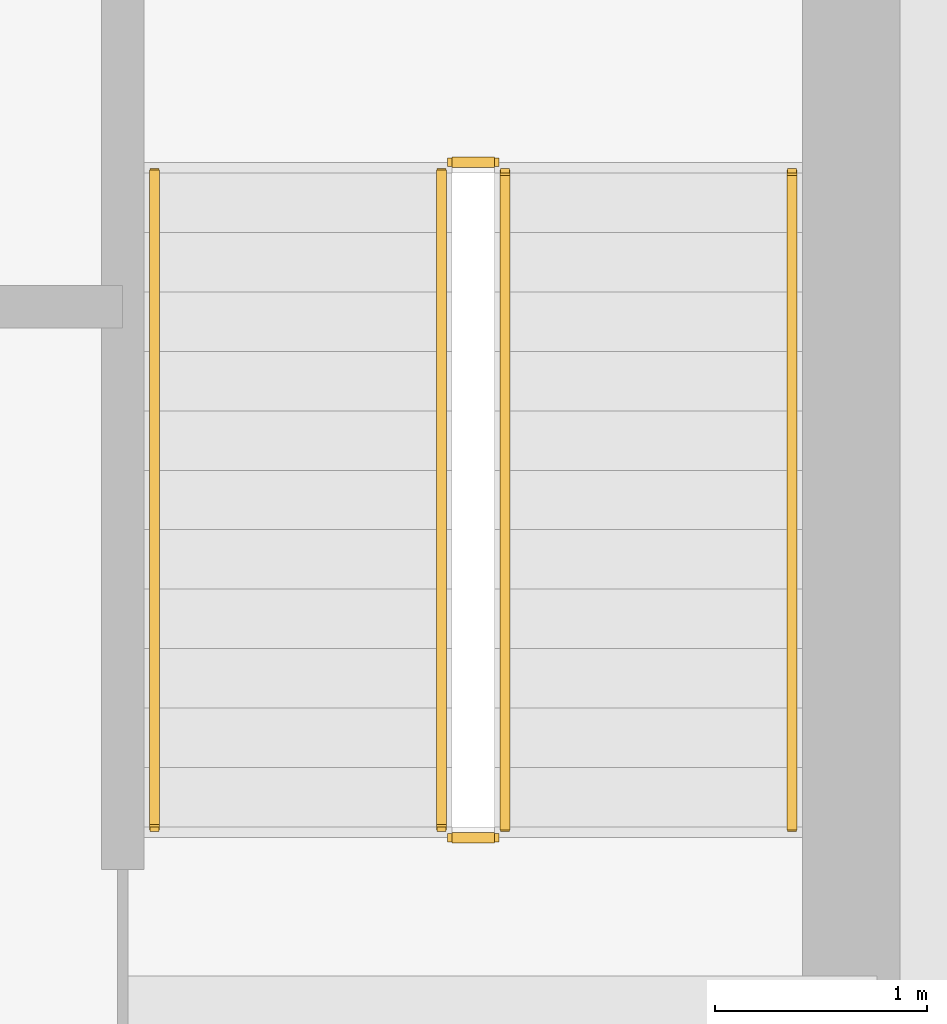
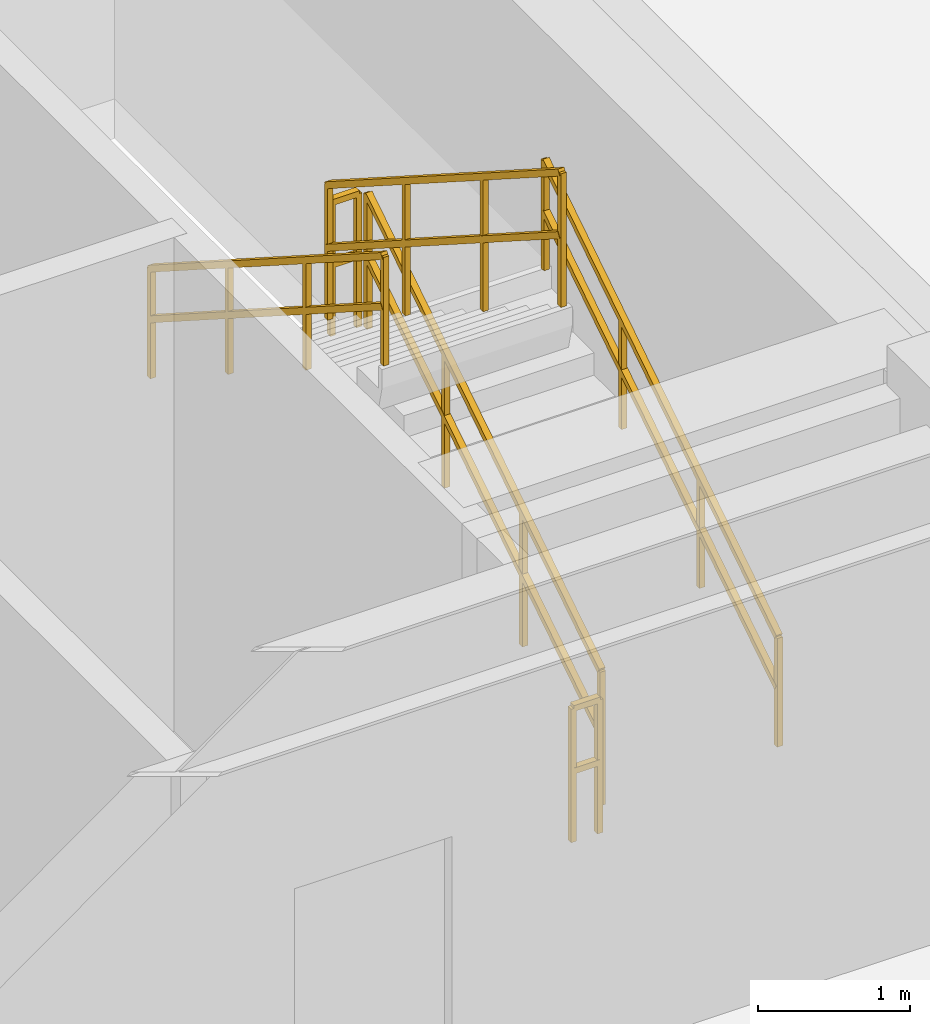
# One storey, part 8 of 8: 6 railings.
"""IFC4 building model written with IfcOpenShell, lengths in metres."""

from ifc_helpers import new_model, si_unit, direction, frame, origin, origin_2d, place, context, subcontext, project, spatial, rectangle, extrude, material, type_object, element, save


model = new_model("IFC4")

# Units and contexts
model_context = context("Model", 3, precision=1e-05, world=origin(), true_north=direction((0.0, 1.0)))
body_context = subcontext(model_context, "Body", "Model", "MODEL_VIEW")
ifc_project = project(units=[si_unit("LENGTHUNIT", "METRE"), si_unit("AREAUNIT", "SQUARE_METRE"), si_unit("VOLUMEUNIT", "CUBIC_METRE"), si_unit("PLANEANGLEUNIT", "RADIAN"), si_unit("MASSUNIT", "GRAM", prefix="KILO")], contexts=[model_context])

# Site, building, storey
site_placement = place(None, origin())
site = spatial("IfcSite", under=ifc_project, at=site_placement, CompositionType="ELEMENT")
building_placement = place(site_placement, origin())
building = spatial("IfcBuilding", under=site, at=building_placement, Name="Trelvane Seafront Commons", CompositionType="ELEMENT")
storey_placement = place(building_placement, frame((0.0, 0.0, -8.60009765625)))
storey = spatial("IfcBuildingStorey", under=building, at=storey_placement, Name="B02", CompositionType="ELEMENT", Elevation=-8.60009765625)

# Railings
ifc_material = material(Name="Stainless steel balustrade", Category="steel")
railing_type_1 = type_object("IfcRailingType", Name="ARCH-SRL-GUARD", PredefinedType="GUARDRAIL", material=ifc_material)
railing_1_placement = place(storey_placement, frame((56.800048828125, 35.550048828125, 0.17919921875)))
element("IfcRailing", 1, at=railing_1_placement, inside=storey, type_object=railing_type_1, Name="B02 ST-2 stair guard 1", PredefinedType="GUARDRAIL", context=body_context, shape_type="SweptSolid", body=[
    extrude(rectangle(XDim=0.048095703125, YDim=0.048095703125, at=origin_2d()), frame((0.0, 0.0, 1.076171875), z_axis=(0.0, 0.842289589211, 0.539025275759), x_axis=(-1.0, 0.0, 0.0)), (0.0, 0.0, 1.0), 3.656494140625),
    extrude(rectangle(XDim=0.048095703125, YDim=0.048095703125, at=origin_2d()), frame((0.0, 0.0, 0.572021484375), z_axis=(0.0, 0.842289589211, 0.539025275759), x_axis=(-1.0, 0.0, 0.0)), (0.0, 0.0, 1.0), 3.656494140625),
    extrude(rectangle(XDim=0.0419921875, YDim=0.0419921875, at=origin_2d()), origin(), (0.0, 0.0, 1.0), 1.076171875),
    extrude(rectangle(XDim=0.0419921875, YDim=0.0419921875, at=origin_2d()), frame((0.0, 1.026611328125, 0.656982421875)), (0.0, 0.0, 1.0), 1.076171875),
    extrude(rectangle(XDim=0.0419921875, YDim=0.0419921875, at=origin_2d()), frame((0.0, 2.05322265625, 1.31396484375)), (0.0, 0.0, 1.0), 1.076171875),
    extrude(rectangle(XDim=0.0419921875, YDim=0.0419921875, at=origin_2d()), frame((0.0, 3.079833984375, 1.970947265625)), (0.0, 0.0, 1.0), 1.076171875),
])
railing_2_placement = place(storey_placement, frame((56.75, 38.679931640625, 2.150146484375)))
element("IfcRailing", 2, at=railing_2_placement, inside=storey, type_object=railing_type_1, Name="B02 ST-2 stair guard 2", PredefinedType="GUARDRAIL", context=body_context, shape_type="SweptSolid", body=[
    extrude(rectangle(XDim=0.048095703125, YDim=0.048095703125, at=origin_2d()), frame((0.0, 0.0, 1.076171875), z_axis=(-1.0, 0.0, 0.0), x_axis=(0.0, -1.0, 0.0)), (0.0, 0.0, 1.0), 0.199951171875),
    extrude(rectangle(XDim=0.048095703125, YDim=0.048095703125, at=origin_2d()), frame((0.0, 0.0, 0.572021484375), z_axis=(-1.0, 0.0, 0.0), x_axis=(0.0, -1.0, 0.0)), (0.0, 0.0, 1.0), 0.199951171875),
    extrude(rectangle(XDim=0.0419921875, YDim=0.0419921875, at=origin_2d()), origin(), (0.0, 0.0, 1.0), 1.076171875),
    extrude(rectangle(XDim=0.0419921875, YDim=0.0419921875, at=origin_2d()), frame((-0.199951171875, 0.0, 0.0)), (0.0, 0.0, 1.0), 1.076171875),
])
railing_3_placement = place(storey_placement, frame((56.5, 38.6298828125, 2.329345703125)))
element("IfcRailing", 3, at=railing_3_placement, inside=storey, type_object=railing_type_1, Name="B02 ST-2 stair guard 3", PredefinedType="GUARDRAIL", context=body_context, shape_type="SweptSolid", body=[
    extrude(rectangle(XDim=0.048095703125, YDim=0.048095703125, at=origin_2d()), frame((0.0, 0.0, 1.076171875), z_axis=(0.0, -0.842319903074, 0.538977903893), x_axis=(1.0, 0.0, 0.0)), (0.0, 0.0, 1.0), 3.65625),
    extrude(rectangle(XDim=0.048095703125, YDim=0.048095703125, at=origin_2d()), frame((0.0, 0.0, 0.572021484375), z_axis=(0.0, -0.842319903074, 0.538977903893), x_axis=(1.0, 0.0, 0.0)), (0.0, 0.0, 1.0), 3.65625),
    extrude(rectangle(XDim=0.0419921875, YDim=0.0419921875, at=origin_2d()), origin(), (0.0, 0.0, 1.0), 1.076171875),
    extrude(rectangle(XDim=0.0419921875, YDim=0.0419921875, at=origin_2d()), frame((0.0, -1.026611328125, 0.656982421875)), (0.0, 0.0, 1.0), 1.076171875),
    extrude(rectangle(XDim=0.0419921875, YDim=0.0419921875, at=origin_2d()), frame((0.0, -2.05322265625, 1.313720703125)), (0.0, 0.0, 1.0), 1.076171875),
    extrude(rectangle(XDim=0.0419921875, YDim=0.0419921875, at=origin_2d()), frame((0.0, -3.079833984375, 1.970703125)), (0.0, 0.0, 1.0), 1.076171875),
])
railing_4_placement = place(storey_placement, frame((56.75, 35.5, 0.0)))
element("IfcRailing", 4, at=railing_4_placement, inside=storey, type_object=railing_type_1, Name="B02 ST-2 stair guard 4", PredefinedType="GUARDRAIL", context=body_context, shape_type="SweptSolid", body=[
    extrude(rectangle(XDim=0.048095703125, YDim=0.048095703125, at=origin_2d()), frame((0.0, 0.0, 1.076171875), z_axis=(-1.0, 0.0, 0.0), x_axis=(0.0, -1.0, 0.0)), (0.0, 0.0, 1.0), 0.199951171875),
    extrude(rectangle(XDim=0.048095703125, YDim=0.048095703125, at=origin_2d()), frame((0.0, 0.0, 0.572021484375), z_axis=(-1.0, 0.0, 0.0), x_axis=(0.0, -1.0, 0.0)), (0.0, 0.0, 1.0), 0.199951171875),
    extrude(rectangle(XDim=0.0419921875, YDim=0.0419921875, at=origin_2d()), origin(), (0.0, 0.0, 1.0), 1.076171875),
    extrude(rectangle(XDim=0.0419921875, YDim=0.0419921875, at=origin_2d()), frame((-0.199951171875, 0.0, 0.0)), (0.0, 0.0, 1.0), 1.076171875),
])
railing_type_2 = type_object("IfcRailingType", Name="ARCH-SRL-HAND", PredefinedType="HANDRAIL", material=ifc_material)
railing_5_placement = place(storey_placement, frame((58.14990234375, 35.550048828125, 0.17919921875)))
element("IfcRailing", 5, at=railing_5_placement, inside=storey, type_object=railing_type_2, Name="B02 ST-2 stair handrail 1", PredefinedType="HANDRAIL", context=body_context, shape_type="SweptSolid", body=[
    extrude(rectangle(XDim=0.048095703125, YDim=0.048095703125, at=origin_2d()), frame((0.0, 0.0, 0.8759765625), z_axis=(0.0, 0.842289589211, 0.539025275759), x_axis=(-1.0, 0.0, 0.0)), (0.0, 0.0, 1.0), 3.656494140625),
    extrude(rectangle(XDim=0.048095703125, YDim=0.048095703125, at=origin_2d()), frame((0.0, 0.0, 0.468017578125), z_axis=(0.0, 0.842289589211, 0.539025275759), x_axis=(-1.0, 0.0, 0.0)), (0.0, 0.0, 1.0), 3.656494140625),
    extrude(rectangle(XDim=0.0419921875, YDim=0.0419921875, at=origin_2d()), origin(), (0.0, 0.0, 1.0), 0.8759765625),
    extrude(rectangle(XDim=0.0419921875, YDim=0.0419921875, at=origin_2d()), frame((0.0, 1.026611328125, 0.656982421875)), (0.0, 0.0, 1.0), 0.8759765625),
    extrude(rectangle(XDim=0.0419921875, YDim=0.0419921875, at=origin_2d()), frame((0.0, 2.05322265625, 1.31396484375)), (0.0, 0.0, 1.0), 0.8759765625),
    extrude(rectangle(XDim=0.0419921875, YDim=0.0419921875, at=origin_2d()), frame((0.0, 3.079833984375, 1.970947265625)), (0.0, 0.0, 1.0), 0.8759765625),
])
railing_6_placement = place(storey_placement, frame((55.14990234375, 38.6298828125, 2.329345703125)))
element("IfcRailing", 6, at=railing_6_placement, inside=storey, type_object=railing_type_2, Name="B02 ST-2 stair handrail 2", PredefinedType="HANDRAIL", context=body_context, shape_type="SweptSolid", body=[
    extrude(rectangle(XDim=0.048095703125, YDim=0.048095703125, at=origin_2d()), frame((0.0, 0.0, 0.8759765625), z_axis=(0.0, -0.842319903074, 0.538977903893), x_axis=(1.0, 0.0, 0.0)), (0.0, 0.0, 1.0), 3.65625),
    extrude(rectangle(XDim=0.048095703125, YDim=0.048095703125, at=origin_2d()), frame((0.0, 0.0, 0.468017578125), z_axis=(0.0, -0.842319903074, 0.538977903893), x_axis=(1.0, 0.0, 0.0)), (0.0, 0.0, 1.0), 3.65625),
    extrude(rectangle(XDim=0.0419921875, YDim=0.0419921875, at=origin_2d()), origin(), (0.0, 0.0, 1.0), 0.8759765625),
    extrude(rectangle(XDim=0.0419921875, YDim=0.0419921875, at=origin_2d()), frame((0.0, -1.026611328125, 0.656982421875)), (0.0, 0.0, 1.0), 0.8759765625),
    extrude(rectangle(XDim=0.0419921875, YDim=0.0419921875, at=origin_2d()), frame((0.0, -2.05322265625, 1.313720703125)), (0.0, 0.0, 1.0), 0.8759765625),
    extrude(rectangle(XDim=0.0419921875, YDim=0.0419921875, at=origin_2d()), frame((0.0, -3.079833984375, 1.970703125)), (0.0, 0.0, 1.0), 0.8759765625),
])

save(model, "model.ifc")
